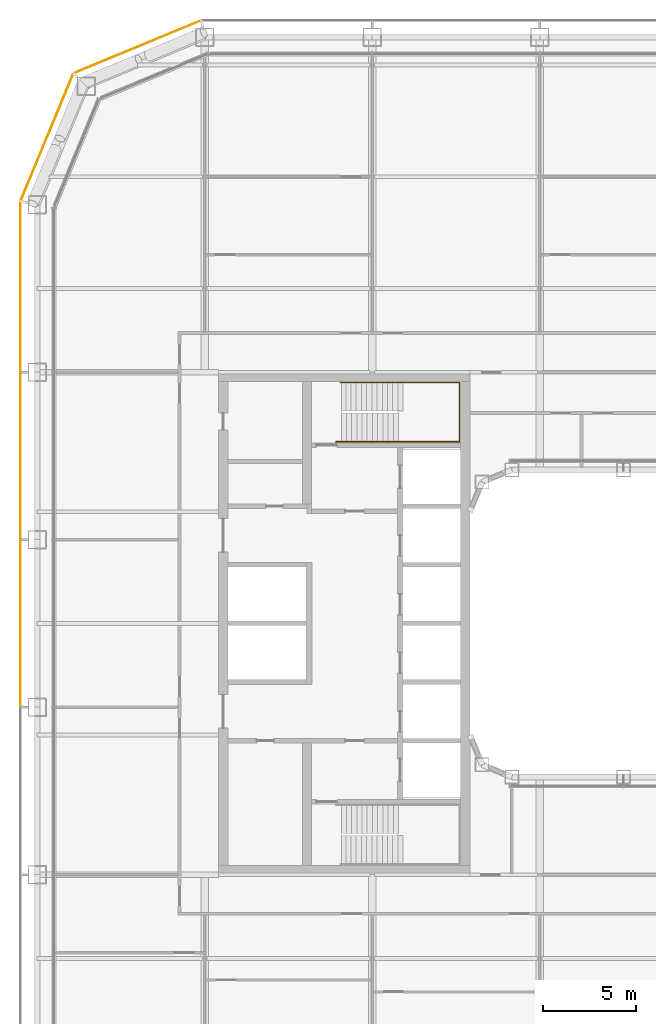
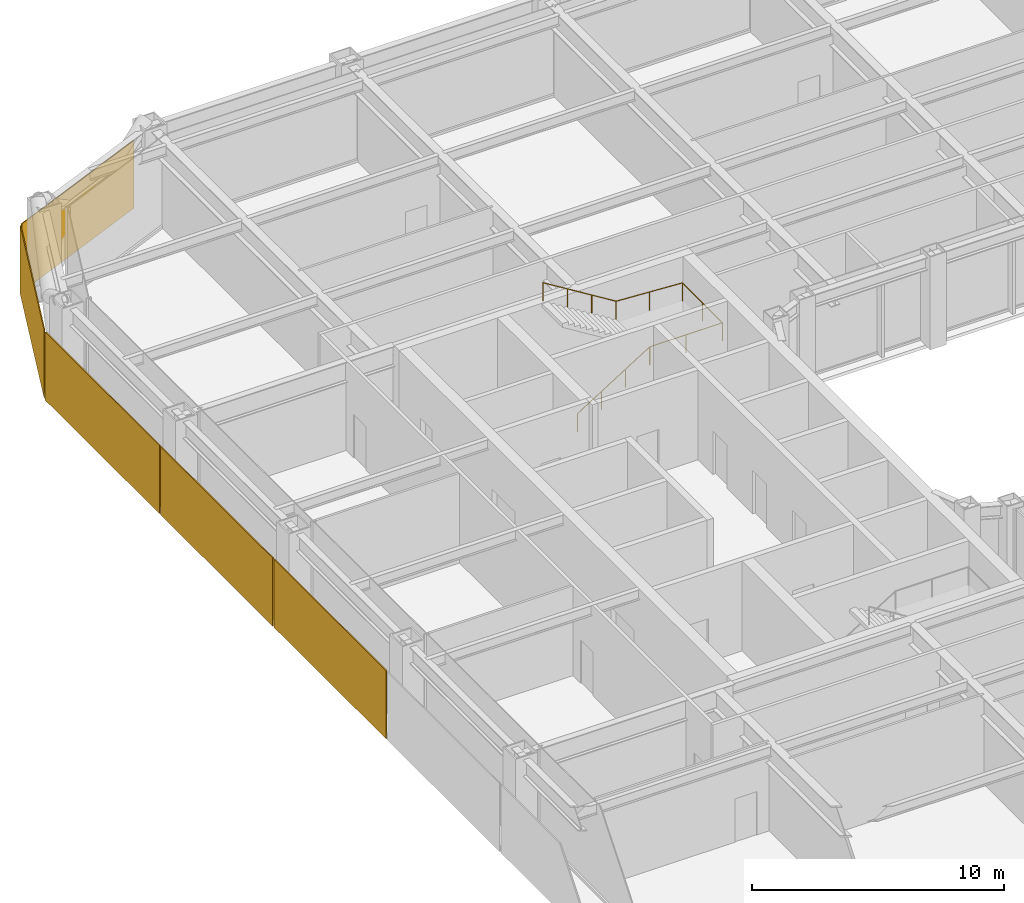
# One storey, part 23 of 25: 5 coverings, 1 railing.
"""IFC4 building model written with IfcOpenShell, lengths in metres."""

import ifcopenshell
import ifcopenshell.guid

model = None  # the IFC model being written
_history = None  # IfcOwnerHistory: only IFC2X3 demands one
_inside = {}  # id of a spatial element -> (the spatial element, [elements in it])
_under = {}  # id of a project, library or spatial element -> (it, [spatial elements below it])
_declared = {}  # id of a project -> (the project, [libraries it declares])
_typed = {}  # id of a type object -> (the type object, [elements of that type])
_made_of = {}  # id of a material, layer set ... -> (it, [elements and type objects made of it])


def new_model(schema):
    """Start an empty IFC model of exactly this schema.

    Asked for "IFC4X3", IfcOpenShell would pick the latest addendum, in which some entities
    have other attributes; the version numbers below select the first issue.
    IFC2X3 requires an IfcOwnerHistory on every rooted entity: one is made here for all.
    """
    global model, _history
    if schema == "IFC4X3":
        model = ifcopenshell.file(schema_version=(4, 3, 0, 0))
    else:
        model = ifcopenshell.file(schema=schema)
    _inside.clear()
    _under.clear()
    _declared.clear()
    _typed.clear()
    _made_of.clear()
    _history = None
    if model.schema == "IFC2X3":
        org = make("IfcOrganization", Name="unknown")
        user = make(
            "IfcPersonAndOrganization",
            ThePerson=make("IfcPerson", FamilyName="unknown"),
            TheOrganization=org,
        )
        app = make(
            "IfcApplication",
            ApplicationDeveloper=org,
            Version="unknown",
            ApplicationFullName="unknown",
            ApplicationIdentifier="unknown",
        )
        _history = make(
            "IfcOwnerHistory",
            OwningUser=user,
            OwningApplication=app,
            ChangeAction="ADDED",
            CreationDate=0,
        )
    return model


def make(cls, **values):
    """One entity of the class cls with the attributes given. An attribute that is None is left unset."""
    return model.create_entity(
        cls, **{name: value for name, value in values.items() if value is not None}
    )


def rooted(cls, **values):
    """An entity with a GlobalId (a new one), such as an element, a storey or a relation."""
    return make(cls, GlobalId=ifcopenshell.guid.new(), OwnerHistory=_history, **values)


def si_unit(unit_type, name, prefix=None):
    """IfcSIUnit, for example si_unit("LENGTHUNIT", "METRE", prefix="MILLI")."""
    return make("IfcSIUnit", UnitType=unit_type, Prefix=prefix, Name=name)


def assignment(units):
    """IfcUnitAssignment: the units of a project."""
    return None if units is None else make("IfcUnitAssignment", Units=units)


def point(xyz):
    """IfcCartesianPoint."""
    return None if xyz is None else make("IfcCartesianPoint", Coordinates=xyz)


def direction(xyz):
    """IfcDirection."""
    return None if xyz is None else make("IfcDirection", DirectionRatios=xyz)


def frame(location, z_axis=None, x_axis=None):
    """IfcAxis2Placement3D, a coordinate frame: its origin and axes. An axis left out is left unset."""
    return make(
        "IfcAxis2Placement3D",
        Location=point(location),
        Axis=direction(z_axis),
        RefDirection=direction(x_axis),
    )


def frame_2d(location, x_axis=None):
    """IfcAxis2Placement2D, a coordinate frame in the plane: its origin and x axis."""
    return make(
        "IfcAxis2Placement2D", Location=point(location), RefDirection=direction(x_axis)
    )


def origin():
    """The frame at (0, 0, 0) with its axes left unset."""
    return frame((0.0, 0.0, 0.0))


def origin_2d():
    """The frame at (0, 0) in the plane with its x axis left unset."""
    return frame_2d((0.0, 0.0))


def place(relative_to, where):
    """IfcLocalPlacement: puts the frame where relative to a parent placement (None: the world)."""
    return make(
        "IfcLocalPlacement", PlacementRelTo=relative_to, RelativePlacement=where
    )


def context(
    kind, dimensions, precision=None, world=None, true_north=None, identifier=None
):
    """IfcGeometricRepresentationContext, for example the 3D "Model" context."""
    return make(
        "IfcGeometricRepresentationContext",
        ContextIdentifier=identifier,
        ContextType=kind,
        CoordinateSpaceDimension=dimensions,
        Precision=precision,
        WorldCoordinateSystem=world,
        TrueNorth=true_north,
    )


def subcontext(parent, identifier, kind, view, scale=None):
    """IfcGeometricRepresentationSubContext, for example "Body" below "Model"."""
    return make(
        "IfcGeometricRepresentationSubContext",
        ContextIdentifier=identifier,
        ContextType=kind,
        ParentContext=parent,
        TargetScale=scale,
        TargetView=view,
    )


def project(units=None, contexts=None):
    """IfcProject with its units and contexts."""
    return rooted(
        "IfcProject",
        Name="project",
        RepresentationContexts=contexts,
        UnitsInContext=assignment(units),
    )


def spatial(cls, under=None, at=None, **own):
    """A site, building, storey or space (cls), placed at a placement, below another one or the project."""
    s = rooted(cls, ObjectPlacement=at, **own)
    if under is not None:
        _under.setdefault(under.id(), (under, []))[1].append(s)
    return s


def profile(cls, at=None, kind="AREA", **sizes):
    """A parametric profile (cls). Its sizes go by their IFC names, for example OverallWidth=200.0."""
    return make(cls, ProfileType=kind, Position=at, **sizes)


def rectangle(**sizes):
    """IfcRectangleProfileDef."""
    return profile("IfcRectangleProfileDef", **sizes)


def circle(**sizes):
    """IfcCircleProfileDef."""
    return profile("IfcCircleProfileDef", **sizes)


def extrude(swept, where, along, depth):
    """IfcExtrudedAreaSolid: the profile swept, set in the frame where, extruded along a direction by depth."""
    return make(
        "IfcExtrudedAreaSolid",
        SweptArea=swept,
        Position=where,
        ExtrudedDirection=direction(along),
        Depth=depth,
    )


def shape(context_of_items, identifier, shape_type, items):
    """IfcShapeRepresentation: the items that make up one representation, for example the "Body"."""
    return make(
        "IfcShapeRepresentation",
        ContextOfItems=context_of_items,
        RepresentationIdentifier=identifier,
        RepresentationType=shape_type,
        Items=items,
    )


def material(Name=None, Category=None):
    """IfcMaterial."""
    return make("IfcMaterial", Name=Name, Category=Category)


def layer(
    of_material, thickness, ventilated=None, Name=None, Category=None, Priority=None
):
    """IfcMaterialLayer: one layer of a wall or slab, of a material (None: an air gap)."""
    return make(
        "IfcMaterialLayer",
        Material=of_material,
        LayerThickness=thickness,
        IsVentilated=ventilated,
        Name=Name,
        Category=Category,
        Priority=Priority,
    )


def layer_set(layers, Name=None):
    """IfcMaterialLayerSet."""
    return make("IfcMaterialLayerSet", MaterialLayers=layers, LayerSetName=Name)


def made_of(thing, what):
    """Note that an element or type object is made of a material, layer set ...; save() writes the relation."""
    if what is not None:
        _made_of.setdefault(what.id(), (what, []))[1].append(thing)
    return thing


def type_object(cls, material=None, **own):
    """A type object (cls), such as IfcWallType, which elements share."""
    return made_of(rooted(cls, **own), material)


def element(
    cls,
    number,
    at=None,
    inside=None,
    cuts=None,
    type_object=None,
    material=None,
    context=None,
    identifier="Body",
    shape_type=None,
    held_by="IfcProductDefinitionShape",
    body=None,
    shapes=None,
    **own,
):
    """One element of the class cls, such as IfcWall. Its Tag is "e" and its number.

    at: its placement. inside: the storey or other place that contains it. cuts: it is an
    opening in that element (IfcRelVoidsElement). A single representation is given by context,
    identifier, shape_type and body (its items); several are given by shapes. held_by: the class
    of the entity that holds the representations. save() writes the other relations.
    """
    e = rooted(cls, Tag="e%d" % number, ObjectPlacement=at, **own)
    if body is not None:
        shapes = [shape(context, identifier, shape_type, body)]
    if shapes is not None:
        e.Representation = make(held_by, Representations=shapes)
    if inside is not None:
        _inside.setdefault(inside.id(), (inside, []))[1].append(e)
    if cuts is not None:
        rooted(
            "IfcRelVoidsElement", RelatingBuildingElement=cuts, RelatedOpeningElement=e
        )
    if type_object is not None:
        _typed.setdefault(type_object.id(), (type_object, []))[1].append(e)
    return made_of(e, material)


def aggregate(whole, parts):
    """IfcRelAggregates: a whole, such as a stair, and the parts it consists of."""
    return rooted("IfcRelAggregates", RelatingObject=whole, RelatedObjects=parts)


def save(model, path):
    """Write the relations noted so far, then the file.

    IfcRelAggregates (storeys below a building ...), IfcRelContainedInSpatialStructure (elements
    in a storey), IfcRelDefinesByType, IfcRelAssociatesMaterial and IfcRelDeclares: one each for
    every whole, place, type object, material and project.
    """
    for whole, parts in _under.values():
        aggregate(whole, parts)
    for where, things in _inside.values():
        rooted(
            "IfcRelContainedInSpatialStructure",
            RelatedElements=things,
            RelatingStructure=where,
        )
    for kind, things in _typed.values():
        rooted("IfcRelDefinesByType", RelatedObjects=things, RelatingType=kind)
    for what, things in _made_of.values():
        rooted("IfcRelAssociatesMaterial", RelatedObjects=things, RelatingMaterial=what)
    for by, libraries in _declared.values():
        rooted("IfcRelDeclares", RelatingContext=by, RelatedDefinitions=libraries)
    model.write(path)


model = new_model("IFC4")

# Units and contexts
model_context = context("Model", 3, precision=1e-05, world=origin(), true_north=direction((0.0, 1.0)))
body_context = subcontext(model_context, "Body", "Model", "MODEL_VIEW")
ifc_project = project(units=[si_unit("LENGTHUNIT", "METRE"), si_unit("AREAUNIT", "SQUARE_METRE"), si_unit("VOLUMEUNIT", "CUBIC_METRE"), si_unit("PLANEANGLEUNIT", "RADIAN"), si_unit("MASSUNIT", "GRAM", prefix="KILO")], contexts=[model_context])

# Site, building, storey
site_placement = place(None, origin())
site = spatial("IfcSite", under=ifc_project, at=site_placement, CompositionType="ELEMENT")
building_placement = place(site_placement, origin())
building = spatial("IfcBuilding", under=site, at=building_placement, Name="Siwar Civic Tower", CompositionType="ELEMENT")
storey_placement = place(building_placement, frame((0.0, 0.0, 58.199951171875)))
storey = spatial("IfcBuildingStorey", under=building, at=storey_placement, Name="L12", CompositionType="ELEMENT", Elevation=58.199951171875)

# Railing
ifc_material_1 = material(Name="Stainless steel", Category="steel")
railing_type = type_object("IfcRailingType", Name="CORE-STAIR-HANDRAIL", PredefinedType="HANDRAIL", material=ifc_material_1)
railing_placement = place(storey_placement, frame((-15.449951171875, 9.758056640625, 0.173095703125)))
element("IfcRailing", 1, at=railing_placement, inside=storey, type_object=railing_type, Name="Stair handrail ST1", PredefinedType="HANDRAIL", context=body_context, shape_type="SweptSolid", body=[
    extrude(circle(Radius=0.02001953125, at=origin_2d()), frame((0.0, 0.0, 0.8798828125), z_axis=(0.847063342986, 0.0, 0.531491950051), x_axis=(0.0, 1.0, 0.0)), (0.0, 0.0, 1.0), 3.90771484375),
    extrude(circle(Radius=0.02001953125, at=origin_2d()), frame((3.31005859375, 0.0, 2.956787109375), z_axis=(1.0, 0.0, 0.0), x_axis=(0.0, 1.0, 0.0)), (0.0, 0.0, 1.0), 3.331787109375),
    extrude(circle(Radius=0.02001953125, at=origin_2d()), frame((6.641845703125, 0.0, 2.956787109375), z_axis=(0.0, 1.0, 0.0), x_axis=(-1.0, 0.0, 0.0)), (0.0, 0.0, 1.0), 3.183837890625),
    extrude(circle(Radius=0.02001953125, at=origin_2d()), frame((6.641845703125, 3.183837890625, 2.956787109375), z_axis=(-0.99837434197, 0.0, 0.056997134106), x_axis=(0.0, -1.0, 0.0)), (0.0, 0.0, 1.0), 3.036865234375),
    extrude(circle(Radius=0.02001953125, at=origin_2d()), frame((3.60986328125, 3.183837890625, 3.1298828125), z_axis=(-0.850606129759, 0.0, 0.525803396734), x_axis=(0.0, -1.0, 0.0)), (0.0, 0.0, 1.0), 3.949951171875),
    extrude(circle(Radius=0.02001953125, at=origin_2d()), origin(), (0.0, 0.0, 1.0), 0.85986328125),
    extrude(circle(Radius=0.02001953125, at=origin_2d()), frame((1.103271484375, 0.0, 0.6923828125)), (0.0, 0.0, 1.0), 0.85986328125),
    extrude(circle(Radius=0.02001953125, at=origin_2d()), frame((2.206787109375, 0.0, 1.384521484375)), (0.0, 0.0, 1.0), 0.85986328125),
    extrude(circle(Radius=0.02001953125, at=origin_2d()), frame((3.31005859375, 0.0, 2.076904296875)), (0.0, 0.0, 1.0), 0.85986328125),
    extrude(circle(Radius=0.02001953125, at=origin_2d()), frame((4.97607421875, 0.0, 2.076904296875)), (0.0, 0.0, 1.0), 0.85986328125),
    extrude(circle(Radius=0.02001953125, at=origin_2d()), frame((6.641845703125, 0.0, 2.076904296875)), (0.0, 0.0, 1.0), 0.85986328125),
    extrude(circle(Radius=0.02001953125, at=origin_2d()), frame((6.641845703125, 1.591796875, 2.076904296875)), (0.0, 0.0, 1.0), 0.85986328125),
    extrude(circle(Radius=0.02001953125, at=origin_2d()), frame((6.641845703125, 3.183837890625, 2.076904296875)), (0.0, 0.0, 1.0), 0.85986328125),
    extrude(circle(Radius=0.02001953125, at=origin_2d()), frame((5.1259765625, 3.183837890625, 2.16357421875)), (0.0, 0.0, 1.0), 0.85986328125),
    extrude(circle(Radius=0.02001953125, at=origin_2d()), frame((3.60986328125, 3.183837890625, 2.25)), (0.0, 0.0, 1.0), 0.85986328125),
    extrude(circle(Radius=0.02001953125, at=origin_2d()), frame((2.489990234375, 3.183837890625, 2.9423828125)), (0.0, 0.0, 1.0), 0.85986328125),
    extrude(circle(Radius=0.02001953125, at=origin_2d()), frame((1.369873046875, 3.183837890625, 3.634521484375)), (0.0, 0.0, 1.0), 0.85986328125),
    extrude(circle(Radius=0.02001953125, at=origin_2d()), frame((0.25, 3.183837890625, 4.326904296875)), (0.0, 0.0, 1.0), 0.85986328125),
])

# Coverings
ifc_material_2 = material(Name="Perforated aluminium cassette, pale metal", Category="aluminium")
ifc_layer_1 = layer(ifc_material_2, 0.0400390625)
ifc_layer_set_1 = layer_set([ifc_layer_1], Name="Perforated aluminium cassette, pale metal")
covering_type_1 = type_object("IfcCoveringType", Name="ENV-OUTER SKIN OS-1", PredefinedType="CLADDING", material=ifc_layer_set_1)
covering_1_placement = place(storey_placement, frame((-26.115966796875, 30.976318359375, -0.14990234375), z_axis=(0.0, 0.0, 1.0), x_axis=(-0.923879532511, -0.382683432365, 0.0)))
element("IfcCovering", 2, at=covering_1_placement, inside=storey, type_object=covering_type_1, Name="OUTER SKIN OS-1 NW1 1", PredefinedType="CLADDING", context=body_context, shape_type="SweptSolid", body=[
    extrude(rectangle(XDim=7.300048828125, YDim=0.0400390625, at=origin_2d()), origin(), (0.0, 0.0, 1.0), 3.300048828125),
])
ifc_material_3 = material(Name="Perforated aluminium cassette, pale metal", Category="aluminium")
ifc_layer_2 = layer(ifc_material_3, 0.044921875)
ifc_layer_set_2 = layer_set([ifc_layer_2], Name="Perforated aluminium cassette, pale metal")
covering_type_2 = type_object("IfcCoveringType", Name="ENV-OUTER SKIN OS-2", PredefinedType="CLADDING", material=ifc_layer_set_2)
covering_2_placement = place(storey_placement, frame((-30.976318359375, 26.115966796875, -0.14990234375), z_axis=(0.0, 0.0, 1.0), x_axis=(-0.382683432365, -0.923879532511, 0.0)))
element("IfcCovering", 3, at=covering_2_placement, inside=storey, type_object=covering_type_2, Name="OUTER SKIN OS-2 NW2 1", PredefinedType="CLADDING", context=body_context, shape_type="SweptSolid", body=[
    extrude(rectangle(XDim=7.300048828125, YDim=0.044921875, at=origin_2d()), origin(), (0.0, 0.0, 1.0), 3.300048828125),
])
ifc_material_4 = material(Name="Perforated aluminium cassette, pale metal", Category="aluminium")
ifc_layer_3 = layer(ifc_material_4, 0.050048828125)
ifc_layer_set_3 = layer_set([ifc_layer_3], Name="Perforated aluminium cassette, pale metal")
covering_type_3 = type_object("IfcCoveringType", Name="ENV-OUTER SKIN OS-3", PredefinedType="CLADDING", material=ifc_layer_set_3)
covering_3_placement = place(storey_placement, frame((-32.39990234375, 18.07958984375, -0.14990234375), z_axis=(0.0, 0.0, 1.0), x_axis=(0.0, -1.0, 0.0)))
element("IfcCovering", 4, at=covering_3_placement, inside=storey, type_object=covering_type_3, Name="OUTER SKIN OS-3 W 1", PredefinedType="CLADDING", context=body_context, shape_type="SweptSolid", body=[
    extrude(rectangle(XDim=9.05908203125, YDim=0.050048828125, at=origin_2d()), origin(), (0.0, 0.0, 1.0), 3.300048828125),
])
for number, where, z_axis, x_axis, name in (
    (5, (-32.39990234375, 9.0, -0.14990234375), (0.0, 0.0, 1.0), (0.0, -1.0, 0.0), "OUTER SKIN OS-3 W 2"),
    (6, (-32.39990234375, 0.0, -0.14990234375), (0.0, 0.0, 1.0), (0.0, -1.0, 0.0), "OUTER SKIN OS-3 W 3"),
):
    element("IfcCovering", number, at=place(storey_placement, frame(where, z_axis=z_axis, x_axis=x_axis)), inside=storey, type_object=covering_type_3, Name=name, PredefinedType="CLADDING", context=body_context, shape_type="SweptSolid", body=[
        extrude(rectangle(XDim=8.89990234375, YDim=0.050048828125, at=origin_2d()), origin(), (0.0, 0.0, 1.0), 3.300048828125),
    ])

save(model, "model.ifc")
